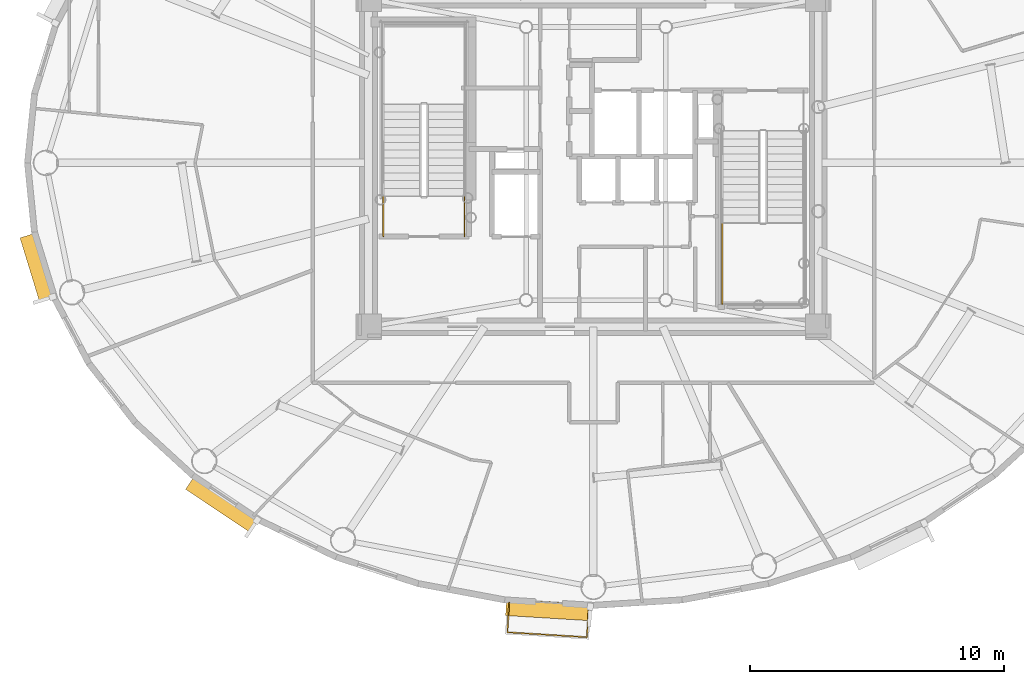
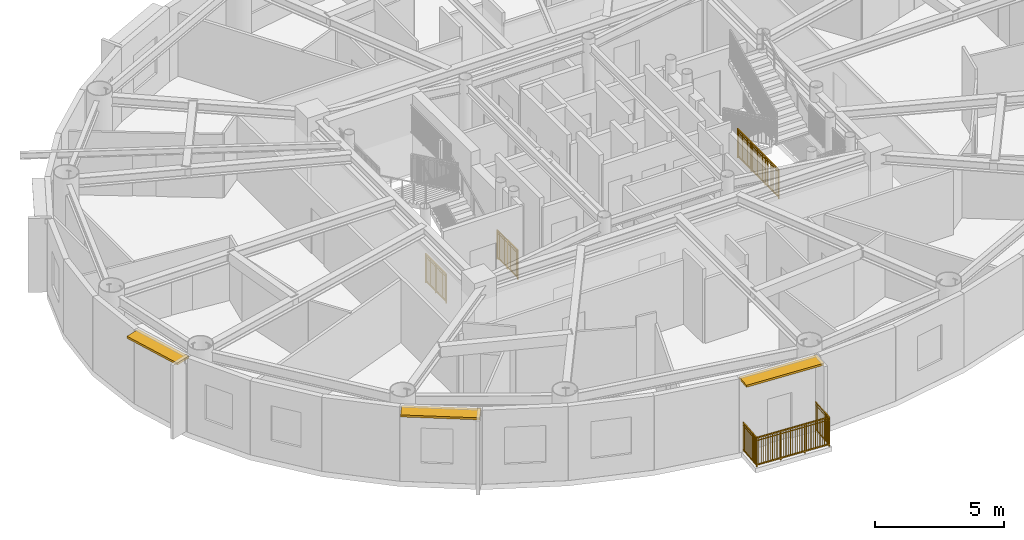
# One storey, part 13 of 20: 4 railings, 3 shading devices.
"""IFC4 building model written with IfcOpenShell, lengths in metres."""

from ifc_helpers import new_model, si_unit, direction, frame, origin, origin_2d, place, context, subcontext, project, spatial, rectangle, extrude, source, transform, mapped, material, layer, layer_set, type_object, element, save


model = new_model("IFC4")

# Units and contexts
model_context = context("Model", 3, precision=1e-05, world=origin(), true_north=direction((0.0, 1.0)))
body_context = subcontext(model_context, "Body", "Model", "MODEL_VIEW")
ifc_project = project(units=[si_unit("LENGTHUNIT", "METRE"), si_unit("AREAUNIT", "SQUARE_METRE"), si_unit("VOLUMEUNIT", "CUBIC_METRE"), si_unit("PLANEANGLEUNIT", "RADIAN"), si_unit("MASSUNIT", "GRAM", prefix="KILO")], contexts=[model_context])

# Site, building, storey
site_placement = place(None, origin())
site = spatial("IfcSite", under=ifc_project, at=site_placement, CompositionType="ELEMENT")
building_placement = place(site_placement, origin())
building = spatial("IfcBuilding", under=site, at=building_placement, Name="Linh Dai School and Residence Tower", CompositionType="ELEMENT")
storey_placement = place(building_placement, frame((0.0, 0.0, 288.0)))
storey = spatial("IfcBuildingStorey", under=building, at=storey_placement, Name="L71", CompositionType="ELEMENT", Elevation=288.0)

# Shading devices
ifc_material_1 = material(Name="Terracotta Ceramic Sunshade", Category="masonry")
ifc_layer = layer(ifc_material_1, 0.10009765625)
ifc_layer_set = layer_set([ifc_layer], Name="Terracotta Ceramic Sunshade")
shading_device_type = type_object("IfcShadingDeviceType", Name="SHD-TC-650", PredefinedType="USERDEFINED", material=ifc_layer_set)
shared_shape_1 = source(origin(), body_context, "Body", "SweptSolid", [
    extrude(rectangle(XDim=2.6640625, YDim=0.64990234375, at=origin_2d()), origin(), (0.0, 0.0, 1.0), 0.10009765625),
])
shading_device_1_placement = place(storey_placement, frame((14.132568359375, 22.870849609375, 3.3798828125), z_axis=(0.0, 0.0, 1.0), x_axis=(-0.293140945944, 0.956069236934, 0.0)))
element("IfcShadingDevice", 1, at=shading_device_1_placement, inside=storey, type_object=shading_device_type, Name="L71 Terracotta Horizontal Sunshade Band 22", ObjectType="SUNSHADE", PredefinedType="USERDEFINED", context=body_context, shape_type="MappedRepresentation", body=[
    mapped(shared_shape_1, transform((0.0, 0.0, 0.0), x_axis=(1.0, 0.0, 0.0), y_axis=(0.0, 1.0, 0.0), z_axis=(0.0, 0.0, 1.0), scale=1.0)),
])
shared_shape_2 = source(origin(), body_context, "Body", "SweptSolid", [
    extrude(rectangle(XDim=3.069091796875, YDim=0.64990234375, at=origin_2d()), origin(), (0.0, 0.0, 1.0), 0.10009765625),
])
shading_device_2_placement = place(storey_placement, frame((21.408203125, 13.5703125, 3.3798828125), z_axis=(0.0, 0.0, 1.0), x_axis=(-0.831245318631, 0.555905765624, 0.0)))
element("IfcShadingDevice", 2, at=shading_device_2_placement, inside=storey, type_object=shading_device_type, Name="L71 Terracotta Horizontal Sunshade Band 26", ObjectType="SUNSHADE", PredefinedType="USERDEFINED", context=body_context, shape_type="MappedRepresentation", body=[
    mapped(shared_shape_2, transform((0.0, 0.0, 0.0), x_axis=(1.0, 0.0, 0.0), y_axis=(0.0, 1.0, 0.0), z_axis=(0.0, 0.0, 1.0), scale=1.0)),
])
shared_shape_3 = source(origin(), body_context, "Body", "SweptSolid", [
    extrude(rectangle(XDim=3.355712890625, YDim=0.64990234375, at=origin_2d()), origin(), (0.0, 0.0, 1.0), 0.10009765625),
])
shading_device_3_placement = place(storey_placement, frame((34.238037109375, 9.407958984375, 3.3798828125), z_axis=(0.0, 0.0, 1.0), x_axis=(-0.998106469364, 0.061509965157, 0.0)))
element("IfcShadingDevice", 3, at=shading_device_3_placement, inside=storey, type_object=shading_device_type, Name="L71 Terracotta Horizontal Sunshade Band 30", ObjectType="SUNSHADE", PredefinedType="USERDEFINED", context=body_context, shape_type="MappedRepresentation", body=[
    mapped(shared_shape_3, transform((0.0, 0.0, 0.0), x_axis=(1.0, 0.0, 0.0), y_axis=(0.0, 1.0, 0.0), z_axis=(0.0, 0.0, 1.0), scale=1.0)),
])

# Railings
ifc_material_2 = material(Name="Structural Steel S355JR", Category="steel")
railing_type_1 = type_object("IfcRailingType", Name="RL-BAL-1400", PredefinedType="BALUSTRADE", material=ifc_material_2)
shared_shape_4 = source(origin(), body_context, "Body", "SweptSolid", [
    extrude(rectangle(XDim=0.048095703125, YDim=0.048095703125, at=origin_2d()), frame((0.0, 0.0, 1.3759765625), z_axis=(-0.061656929038, -0.99809740161, 0.0), x_axis=(0.99809740161, -0.061656929038, 0.0)), (0.0, 0.0, 1.0), 1.179931640625),
    extrude(rectangle(XDim=0.048095703125, YDim=0.048095703125, at=origin_2d()), frame((0.0, 0.0, 0.10009765625), z_axis=(-0.061656929038, -0.99809740161, 0.0), x_axis=(0.99809740161, -0.061656929038, 0.0)), (0.0, 0.0, 1.0), 1.179931640625),
    extrude(rectangle(XDim=0.030029296875, YDim=0.030029296875, at=origin_2d()), frame((0.0, 0.0, 1.239990234375), z_axis=(-0.061656929038, -0.99809740161, 0.0), x_axis=(0.99809740161, -0.061656929038, 0.0)), (0.0, 0.0, 1.0), 1.179931640625),
    extrude(rectangle(XDim=0.02001953125, YDim=0.02001953125, at=origin_2d()), frame((-0.005615234375, -0.090576171875, 0.10009765625)), (0.0, 0.0, 1.0), 1.251708984375),
    extrude(rectangle(XDim=0.02001953125, YDim=0.02001953125, at=origin_2d()), frame((-0.01123046875, -0.18115234375, 0.10009765625)), (0.0, 0.0, 1.0), 1.251708984375),
    extrude(rectangle(XDim=0.02001953125, YDim=0.02001953125, at=origin_2d()), frame((-0.016845703125, -0.271728515625, 0.10009765625)), (0.0, 0.0, 1.0), 1.251708984375),
    extrude(rectangle(XDim=0.02001953125, YDim=0.02001953125, at=origin_2d()), frame((-0.0224609375, -0.3623046875, 0.10009765625)), (0.0, 0.0, 1.0), 1.251708984375),
    extrude(rectangle(XDim=0.02001953125, YDim=0.02001953125, at=origin_2d()), frame((-0.028076171875, -0.452880859375, 0.10009765625)), (0.0, 0.0, 1.0), 1.251708984375),
    extrude(rectangle(XDim=0.02001953125, YDim=0.02001953125, at=origin_2d()), frame((-0.03369140625, -0.54345703125, 0.10009765625)), (0.0, 0.0, 1.0), 1.251708984375),
    extrude(rectangle(XDim=0.02001953125, YDim=0.02001953125, at=origin_2d()), frame((-0.0390625, -0.63427734375, 0.10009765625)), (0.0, 0.0, 1.0), 1.251708984375),
    extrude(rectangle(XDim=0.02001953125, YDim=0.02001953125, at=origin_2d()), frame((-0.044677734375, -0.724853515625, 0.10009765625)), (0.0, 0.0, 1.0), 1.251708984375),
    extrude(rectangle(XDim=0.02001953125, YDim=0.02001953125, at=origin_2d()), frame((-0.05029296875, -0.8154296875, 0.10009765625)), (0.0, 0.0, 1.0), 1.251708984375),
    extrude(rectangle(XDim=0.02001953125, YDim=0.02001953125, at=origin_2d()), frame((-0.055908203125, -0.906005859375, 0.10009765625)), (0.0, 0.0, 1.0), 1.251708984375),
    extrude(rectangle(XDim=0.02001953125, YDim=0.02001953125, at=origin_2d()), frame((-0.0615234375, -0.99658203125, 0.10009765625)), (0.0, 0.0, 1.0), 1.251708984375),
    extrude(rectangle(XDim=0.02001953125, YDim=0.02001953125, at=origin_2d()), frame((-0.067138671875, -1.087158203125, 0.10009765625)), (0.0, 0.0, 1.0), 1.251708984375),
    extrude(rectangle(XDim=0.048095703125, YDim=0.048095703125, at=origin_2d()), frame((-0.07275390625, -1.177734375, 1.3759765625), z_axis=(-0.998106137057, 0.061515357175, 0.0), x_axis=(-0.061515357175, -0.998106137057, 0.0)), (0.0, 0.0, 1.0), 3.13525390625),
    extrude(rectangle(XDim=0.048095703125, YDim=0.048095703125, at=origin_2d()), frame((-0.07275390625, -1.177734375, 0.10009765625), z_axis=(-0.998106137057, 0.061515357175, 0.0), x_axis=(-0.061515357175, -0.998106137057, 0.0)), (0.0, 0.0, 1.0), 3.13525390625),
    extrude(rectangle(XDim=0.030029296875, YDim=0.030029296875, at=origin_2d()), frame((-0.07275390625, -1.177734375, 1.239990234375), z_axis=(-0.998106137057, 0.061515357175, 0.0), x_axis=(-0.061515357175, -0.998106137057, 0.0)), (0.0, 0.0, 1.0), 3.13525390625),
    extrude(rectangle(XDim=0.02001953125, YDim=0.02001953125, at=origin_2d()), frame((-0.170654296875, -1.171630859375, 0.10009765625)), (0.0, 0.0, 1.0), 1.251708984375),
    extrude(rectangle(XDim=0.02001953125, YDim=0.02001953125, at=origin_2d()), frame((-0.268310546875, -1.165771484375, 0.10009765625)), (0.0, 0.0, 1.0), 1.251708984375),
    extrude(rectangle(XDim=0.02001953125, YDim=0.02001953125, at=origin_2d()), frame((-0.3662109375, -1.15966796875, 0.10009765625)), (0.0, 0.0, 1.0), 1.251708984375),
    extrude(rectangle(XDim=0.02001953125, YDim=0.02001953125, at=origin_2d()), frame((-0.4638671875, -1.153564453125, 0.10009765625)), (0.0, 0.0, 1.0), 1.251708984375),
    extrude(rectangle(XDim=0.02001953125, YDim=0.02001953125, at=origin_2d()), frame((-0.561767578125, -1.147705078125, 0.10009765625)), (0.0, 0.0, 1.0), 1.251708984375),
    extrude(rectangle(XDim=0.02001953125, YDim=0.02001953125, at=origin_2d()), frame((-0.659423828125, -1.1416015625, 0.10009765625)), (0.0, 0.0, 1.0), 1.251708984375),
    extrude(rectangle(XDim=0.02001953125, YDim=0.02001953125, at=origin_2d()), frame((-0.75732421875, -1.135498046875, 0.10009765625)), (0.0, 0.0, 1.0), 1.251708984375),
    extrude(rectangle(XDim=0.02001953125, YDim=0.02001953125, at=origin_2d()), frame((-0.85498046875, -1.12939453125, 0.10009765625)), (0.0, 0.0, 1.0), 1.251708984375),
    extrude(rectangle(XDim=0.02001953125, YDim=0.02001953125, at=origin_2d()), frame((-0.952880859375, -1.12353515625, 0.10009765625)), (0.0, 0.0, 1.0), 1.251708984375),
    extrude(rectangle(XDim=0.02001953125, YDim=0.02001953125, at=origin_2d()), frame((-1.05078125, -1.117431640625, 0.10009765625)), (0.0, 0.0, 1.0), 1.251708984375),
    extrude(rectangle(XDim=0.02001953125, YDim=0.02001953125, at=origin_2d()), frame((-1.246337890625, -1.10546875, 0.10009765625)), (0.0, 0.0, 1.0), 1.251708984375),
    extrude(rectangle(XDim=0.02001953125, YDim=0.02001953125, at=origin_2d()), frame((-1.343994140625, -1.099365234375, 0.10009765625)), (0.0, 0.0, 1.0), 1.251708984375),
    extrude(rectangle(XDim=0.02001953125, YDim=0.02001953125, at=origin_2d()), frame((-1.44189453125, -1.09326171875, 0.10009765625)), (0.0, 0.0, 1.0), 1.251708984375),
    extrude(rectangle(XDim=0.02001953125, YDim=0.02001953125, at=origin_2d()), frame((-1.53955078125, -1.08740234375, 0.10009765625)), (0.0, 0.0, 1.0), 1.251708984375),
    extrude(rectangle(XDim=0.02001953125, YDim=0.02001953125, at=origin_2d()), frame((-1.637451171875, -1.081298828125, 0.10009765625)), (0.0, 0.0, 1.0), 1.251708984375),
    extrude(rectangle(XDim=0.02001953125, YDim=0.02001953125, at=origin_2d()), frame((-1.7353515625, -1.0751953125, 0.10009765625)), (0.0, 0.0, 1.0), 1.251708984375),
    extrude(rectangle(XDim=0.02001953125, YDim=0.02001953125, at=origin_2d()), frame((-1.8330078125, -1.0693359375, 0.10009765625)), (0.0, 0.0, 1.0), 1.251708984375),
    extrude(rectangle(XDim=0.02001953125, YDim=0.02001953125, at=origin_2d()), frame((-1.930908203125, -1.063232421875, 0.10009765625)), (0.0, 0.0, 1.0), 1.251708984375),
    extrude(rectangle(XDim=0.02001953125, YDim=0.02001953125, at=origin_2d()), frame((-2.028564453125, -1.05712890625, 0.10009765625)), (0.0, 0.0, 1.0), 1.251708984375),
    extrude(rectangle(XDim=0.02001953125, YDim=0.02001953125, at=origin_2d()), frame((-2.22412109375, -1.045166015625, 0.10009765625)), (0.0, 0.0, 1.0), 1.251708984375),
    extrude(rectangle(XDim=0.02001953125, YDim=0.02001953125, at=origin_2d()), frame((-2.322021484375, -1.0390625, 0.10009765625)), (0.0, 0.0, 1.0), 1.251708984375),
    extrude(rectangle(XDim=0.02001953125, YDim=0.02001953125, at=origin_2d()), frame((-2.419921875, -1.033203125, 0.10009765625)), (0.0, 0.0, 1.0), 1.251708984375),
    extrude(rectangle(XDim=0.02001953125, YDim=0.02001953125, at=origin_2d()), frame((-2.517578125, -1.027099609375, 0.10009765625)), (0.0, 0.0, 1.0), 1.251708984375),
    extrude(rectangle(XDim=0.02001953125, YDim=0.02001953125, at=origin_2d()), frame((-2.615478515625, -1.02099609375, 0.10009765625)), (0.0, 0.0, 1.0), 1.251708984375),
    extrude(rectangle(XDim=0.02001953125, YDim=0.02001953125, at=origin_2d()), frame((-2.713134765625, -1.014892578125, 0.10009765625)), (0.0, 0.0, 1.0), 1.251708984375),
    extrude(rectangle(XDim=0.02001953125, YDim=0.02001953125, at=origin_2d()), frame((-2.81103515625, -1.009033203125, 0.10009765625)), (0.0, 0.0, 1.0), 1.251708984375),
    extrude(rectangle(XDim=0.02001953125, YDim=0.02001953125, at=origin_2d()), frame((-2.90869140625, -1.0029296875, 0.10009765625)), (0.0, 0.0, 1.0), 1.251708984375),
    extrude(rectangle(XDim=0.02001953125, YDim=0.02001953125, at=origin_2d()), frame((-3.006591796875, -0.996826171875, 0.10009765625)), (0.0, 0.0, 1.0), 1.251708984375),
    extrude(rectangle(XDim=0.02001953125, YDim=0.02001953125, at=origin_2d()), frame((-3.104248046875, -0.990966796875, 0.10009765625)), (0.0, 0.0, 1.0), 1.251708984375),
    extrude(rectangle(XDim=0.048095703125, YDim=0.048095703125, at=origin_2d()), frame((-3.2021484375, -0.98486328125, 1.3759765625), z_axis=(0.061656929038, 0.99809740161, 0.0), x_axis=(-0.99809740161, 0.061656929038, 0.0)), (0.0, 0.0, 1.0), 1.179931640625),
    extrude(rectangle(XDim=0.048095703125, YDim=0.048095703125, at=origin_2d()), frame((-3.2021484375, -0.98486328125, 0.10009765625), z_axis=(0.061656929038, 0.99809740161, 0.0), x_axis=(-0.99809740161, 0.061656929038, 0.0)), (0.0, 0.0, 1.0), 1.179931640625),
    extrude(rectangle(XDim=0.030029296875, YDim=0.030029296875, at=origin_2d()), frame((-3.2021484375, -0.98486328125, 1.239990234375), z_axis=(0.061656929038, 0.99809740161, 0.0), x_axis=(-0.99809740161, 0.061656929038, 0.0)), (0.0, 0.0, 1.0), 1.179931640625),
    extrude(rectangle(XDim=0.02001953125, YDim=0.02001953125, at=origin_2d()), frame((-3.196533203125, -0.894287109375, 0.10009765625)), (0.0, 0.0, 1.0), 1.251708984375),
    extrude(rectangle(XDim=0.02001953125, YDim=0.02001953125, at=origin_2d()), frame((-3.19091796875, -0.8037109375, 0.10009765625)), (0.0, 0.0, 1.0), 1.251708984375),
    extrude(rectangle(XDim=0.02001953125, YDim=0.02001953125, at=origin_2d()), frame((-3.185302734375, -0.713134765625, 0.10009765625)), (0.0, 0.0, 1.0), 1.251708984375),
    extrude(rectangle(XDim=0.02001953125, YDim=0.02001953125, at=origin_2d()), frame((-3.1796875, -0.62255859375, 0.10009765625)), (0.0, 0.0, 1.0), 1.251708984375),
    extrude(rectangle(XDim=0.02001953125, YDim=0.02001953125, at=origin_2d()), frame((-3.174072265625, -0.531982421875, 0.10009765625)), (0.0, 0.0, 1.0), 1.251708984375),
    extrude(rectangle(XDim=0.02001953125, YDim=0.02001953125, at=origin_2d()), frame((-3.16845703125, -0.44140625, 0.10009765625)), (0.0, 0.0, 1.0), 1.251708984375),
    extrude(rectangle(XDim=0.02001953125, YDim=0.02001953125, at=origin_2d()), frame((-3.1630859375, -0.3505859375, 0.10009765625)), (0.0, 0.0, 1.0), 1.251708984375),
    extrude(rectangle(XDim=0.02001953125, YDim=0.02001953125, at=origin_2d()), frame((-3.157470703125, -0.260009765625, 0.10009765625)), (0.0, 0.0, 1.0), 1.251708984375),
    extrude(rectangle(XDim=0.02001953125, YDim=0.02001953125, at=origin_2d()), frame((-3.15185546875, -0.16943359375, 0.10009765625)), (0.0, 0.0, 1.0), 1.251708984375),
    extrude(rectangle(XDim=0.02001953125, YDim=0.02001953125, at=origin_2d()), frame((-3.146240234375, -0.078857421875, 0.10009765625)), (0.0, 0.0, 1.0), 1.251708984375),
    extrude(rectangle(XDim=0.02001953125, YDim=0.02001953125, at=origin_2d()), frame((-3.140625, 0.01171875, 0.10009765625)), (0.0, 0.0, 1.0), 1.251708984375),
    extrude(rectangle(XDim=0.02001953125, YDim=0.02001953125, at=origin_2d()), frame((-3.135009765625, 0.102294921875, 0.10009765625)), (0.0, 0.0, 1.0), 1.251708984375),
    extrude(rectangle(XDim=0.0419921875, YDim=0.0419921875, at=origin_2d()), origin(), (0.0, 0.0, 1.0), 1.3759765625),
    extrude(rectangle(XDim=0.0419921875, YDim=0.0419921875, at=origin_2d()), frame((-0.07275390625, -1.177734375, 0.0)), (0.0, 0.0, 1.0), 1.3759765625),
    extrude(rectangle(XDim=0.0419921875, YDim=0.0419921875, at=origin_2d()), frame((-1.115966796875, -1.113525390625, 0.0)), (0.0, 0.0, 1.0), 1.3759765625),
    extrude(rectangle(XDim=0.0419921875, YDim=0.0419921875, at=origin_2d()), frame((-2.158935546875, -1.049072265625, 0.0)), (0.0, 0.0, 1.0), 1.3759765625),
    extrude(rectangle(XDim=0.0419921875, YDim=0.0419921875, at=origin_2d()), frame((-3.2021484375, -0.98486328125, 0.0)), (0.0, 0.0, 1.0), 1.3759765625),
    extrude(rectangle(XDim=0.0419921875, YDim=0.0419921875, at=origin_2d()), frame((-3.12939453125, 0.19287109375, 0.0)), (0.0, 0.0, 1.0), 1.3759765625),
])
railing_1_placement = place(storey_placement, frame((35.815185546875, 9.51123046875, 0.0)))
element("IfcRailing", 4, at=railing_1_placement, inside=storey, type_object=railing_type_1, Name="L71 Balcony Safety Balustrade 30", PredefinedType="BALUSTRADE", context=body_context, shape_type="MappedRepresentation", body=[
    mapped(shared_shape_4, transform((0.0, 0.0, 0.0), x_axis=(1.0, 0.0, 0.0), y_axis=(0.0, 1.0, 0.0), z_axis=(0.0, 0.0, 1.0), scale=1.0)),
])
railing_type_2 = type_object("IfcRailingType", Name="RL-ST-GUARD-1400", PredefinedType="GUARDRAIL", material=ifc_material_2)
shared_shape_5 = source(origin(), body_context, "Body", "SweptSolid", [
    extrude(rectangle(XDim=0.048095703125, YDim=0.048095703125, at=origin_2d()), frame((0.0, 0.0, 1.3759765625), z_axis=(0.0, 1.0, 0.0), x_axis=(-1.0, 0.0, 0.0)), (0.0, 0.0, 1.0), 1.599853515625),
    extrude(rectangle(XDim=0.048095703125, YDim=0.048095703125, at=origin_2d()), frame((0.0, 0.0, 0.10009765625), z_axis=(0.0, 1.0, 0.0), x_axis=(-1.0, 0.0, 0.0)), (0.0, 0.0, 1.0), 1.599853515625),
    extrude(rectangle(XDim=0.030029296875, YDim=0.030029296875, at=origin_2d()), frame((0.0, 0.0, 1.239990234375), z_axis=(0.0, 1.0, 0.0), x_axis=(-1.0, 0.0, 0.0)), (0.0, 0.0, 1.0), 1.599853515625),
    extrude(rectangle(XDim=0.02001953125, YDim=0.02001953125, at=origin_2d()), frame((0.0, 0.093994140625, 0.10009765625)), (0.0, 0.0, 1.0), 1.251708984375),
    extrude(rectangle(XDim=0.02001953125, YDim=0.02001953125, at=origin_2d()), frame((0.0, 0.188232421875, 0.10009765625)), (0.0, 0.0, 1.0), 1.251708984375),
    extrude(rectangle(XDim=0.02001953125, YDim=0.02001953125, at=origin_2d()), frame((0.0, 0.2822265625, 0.10009765625)), (0.0, 0.0, 1.0), 1.251708984375),
    extrude(rectangle(XDim=0.02001953125, YDim=0.02001953125, at=origin_2d()), frame((0.0, 0.37646484375, 0.10009765625)), (0.0, 0.0, 1.0), 1.251708984375),
    extrude(rectangle(XDim=0.02001953125, YDim=0.02001953125, at=origin_2d()), frame((0.0, 0.470458984375, 0.10009765625)), (0.0, 0.0, 1.0), 1.251708984375),
    extrude(rectangle(XDim=0.02001953125, YDim=0.02001953125, at=origin_2d()), frame((0.0, 0.564697265625, 0.10009765625)), (0.0, 0.0, 1.0), 1.251708984375),
    extrude(rectangle(XDim=0.02001953125, YDim=0.02001953125, at=origin_2d()), frame((0.0, 0.65869140625, 0.10009765625)), (0.0, 0.0, 1.0), 1.251708984375),
    extrude(rectangle(XDim=0.02001953125, YDim=0.02001953125, at=origin_2d()), frame((0.0, 0.7529296875, 0.10009765625)), (0.0, 0.0, 1.0), 1.251708984375),
    extrude(rectangle(XDim=0.02001953125, YDim=0.02001953125, at=origin_2d()), frame((0.0, 0.846923828125, 0.10009765625)), (0.0, 0.0, 1.0), 1.251708984375),
    extrude(rectangle(XDim=0.02001953125, YDim=0.02001953125, at=origin_2d()), frame((0.0, 0.941162109375, 0.10009765625)), (0.0, 0.0, 1.0), 1.251708984375),
    extrude(rectangle(XDim=0.02001953125, YDim=0.02001953125, at=origin_2d()), frame((0.0, 1.03515625, 0.10009765625)), (0.0, 0.0, 1.0), 1.251708984375),
    extrude(rectangle(XDim=0.02001953125, YDim=0.02001953125, at=origin_2d()), frame((0.0, 1.12939453125, 0.10009765625)), (0.0, 0.0, 1.0), 1.251708984375),
    extrude(rectangle(XDim=0.02001953125, YDim=0.02001953125, at=origin_2d()), frame((0.0, 1.223388671875, 0.10009765625)), (0.0, 0.0, 1.0), 1.251708984375),
    extrude(rectangle(XDim=0.02001953125, YDim=0.02001953125, at=origin_2d()), frame((0.0, 1.317626953125, 0.10009765625)), (0.0, 0.0, 1.0), 1.251708984375),
    extrude(rectangle(XDim=0.02001953125, YDim=0.02001953125, at=origin_2d()), frame((0.0, 1.41162109375, 0.10009765625)), (0.0, 0.0, 1.0), 1.251708984375),
    extrude(rectangle(XDim=0.02001953125, YDim=0.02001953125, at=origin_2d()), frame((0.0, 1.505859375, 0.10009765625)), (0.0, 0.0, 1.0), 1.251708984375),
    extrude(rectangle(XDim=0.0419921875, YDim=0.0419921875, at=origin_2d()), origin(), (0.0, 0.0, 1.0), 1.3759765625),
    extrude(rectangle(XDim=0.0419921875, YDim=0.0419921875, at=origin_2d()), frame((0.0, 0.7998046875, 0.0)), (0.0, 0.0, 1.0), 1.3759765625),
    extrude(rectangle(XDim=0.0419921875, YDim=0.0419921875, at=origin_2d()), frame((0.0, 1.599853515625, 0.0)), (0.0, 0.0, 1.0), 1.3759765625),
])
for number, where, name in (
    (5, (30.929931640625, 24.10009765625, 0.0), "L71 ST1 stair guard 8"),
    (6, (27.72998046875, 24.10009765625, 0.0), "L71 ST1 stair guard 9"),
):
    element("IfcRailing", number, at=place(storey_placement, frame(where)), inside=storey, type_object=railing_type_2, Name=name, PredefinedType="GUARDRAIL", context=body_context, shape_type="MappedRepresentation", body=[
        mapped(shared_shape_5, transform((0.0, 0.0, 0.0), x_axis=(1.0, 0.0, 0.0), y_axis=(0.0, 1.0, 0.0), z_axis=(0.0, 0.0, 1.0), scale=1.0)),
    ])
shared_shape_6 = source(origin(), body_context, "Body", "SweptSolid", [
    extrude(rectangle(XDim=0.048095703125, YDim=0.048095703125, at=origin_2d()), frame((0.0, 0.0, 1.3759765625), z_axis=(0.0, -1.0, 0.0), x_axis=(1.0, 0.0, 0.0)), (0.0, 0.0, 1.0), 3.199951171875),
    extrude(rectangle(XDim=0.048095703125, YDim=0.048095703125, at=origin_2d()), frame((0.0, 0.0, 0.10009765625), z_axis=(0.0, -1.0, 0.0), x_axis=(1.0, 0.0, 0.0)), (0.0, 0.0, 1.0), 3.199951171875),
    extrude(rectangle(XDim=0.030029296875, YDim=0.030029296875, at=origin_2d()), frame((0.0, 0.0, 1.239990234375), z_axis=(0.0, -1.0, 0.0), x_axis=(1.0, 0.0, 0.0)), (0.0, 0.0, 1.0), 3.199951171875),
    extrude(rectangle(XDim=0.02001953125, YDim=0.02001953125, at=origin_2d()), frame((0.0, -0.096923828125, 0.10009765625)), (0.0, 0.0, 1.0), 1.251708984375),
    extrude(rectangle(XDim=0.02001953125, YDim=0.02001953125, at=origin_2d()), frame((0.0, -0.19384765625, 0.10009765625)), (0.0, 0.0, 1.0), 1.251708984375),
    extrude(rectangle(XDim=0.02001953125, YDim=0.02001953125, at=origin_2d()), frame((0.0, -0.291015625, 0.10009765625)), (0.0, 0.0, 1.0), 1.251708984375),
    extrude(rectangle(XDim=0.02001953125, YDim=0.02001953125, at=origin_2d()), frame((0.0, -0.387939453125, 0.10009765625)), (0.0, 0.0, 1.0), 1.251708984375),
    extrude(rectangle(XDim=0.02001953125, YDim=0.02001953125, at=origin_2d()), frame((0.0, -0.48486328125, 0.10009765625)), (0.0, 0.0, 1.0), 1.251708984375),
    extrude(rectangle(XDim=0.02001953125, YDim=0.02001953125, at=origin_2d()), frame((0.0, -0.581787109375, 0.10009765625)), (0.0, 0.0, 1.0), 1.251708984375),
    extrude(rectangle(XDim=0.02001953125, YDim=0.02001953125, at=origin_2d()), frame((0.0, -0.6787109375, 0.10009765625)), (0.0, 0.0, 1.0), 1.251708984375),
    extrude(rectangle(XDim=0.02001953125, YDim=0.02001953125, at=origin_2d()), frame((0.0, -0.775634765625, 0.10009765625)), (0.0, 0.0, 1.0), 1.251708984375),
    extrude(rectangle(XDim=0.02001953125, YDim=0.02001953125, at=origin_2d()), frame((0.0, -0.872802734375, 0.10009765625)), (0.0, 0.0, 1.0), 1.251708984375),
    extrude(rectangle(XDim=0.02001953125, YDim=0.02001953125, at=origin_2d()), frame((0.0, -0.9697265625, 0.10009765625)), (0.0, 0.0, 1.0), 1.251708984375),
    extrude(rectangle(XDim=0.02001953125, YDim=0.02001953125, at=origin_2d()), frame((0.0, -1.16357421875, 0.10009765625)), (0.0, 0.0, 1.0), 1.251708984375),
    extrude(rectangle(XDim=0.02001953125, YDim=0.02001953125, at=origin_2d()), frame((0.0, -1.260498046875, 0.10009765625)), (0.0, 0.0, 1.0), 1.251708984375),
    extrude(rectangle(XDim=0.02001953125, YDim=0.02001953125, at=origin_2d()), frame((0.0, -1.357666015625, 0.10009765625)), (0.0, 0.0, 1.0), 1.251708984375),
    extrude(rectangle(XDim=0.02001953125, YDim=0.02001953125, at=origin_2d()), frame((0.0, -1.45458984375, 0.10009765625)), (0.0, 0.0, 1.0), 1.251708984375),
    extrude(rectangle(XDim=0.02001953125, YDim=0.02001953125, at=origin_2d()), frame((0.0, -1.551513671875, 0.10009765625)), (0.0, 0.0, 1.0), 1.251708984375),
    extrude(rectangle(XDim=0.02001953125, YDim=0.02001953125, at=origin_2d()), frame((0.0, -1.6484375, 0.10009765625)), (0.0, 0.0, 1.0), 1.251708984375),
    extrude(rectangle(XDim=0.02001953125, YDim=0.02001953125, at=origin_2d()), frame((0.0, -1.745361328125, 0.10009765625)), (0.0, 0.0, 1.0), 1.251708984375),
    extrude(rectangle(XDim=0.02001953125, YDim=0.02001953125, at=origin_2d()), frame((0.0, -1.84228515625, 0.10009765625)), (0.0, 0.0, 1.0), 1.251708984375),
    extrude(rectangle(XDim=0.02001953125, YDim=0.02001953125, at=origin_2d()), frame((0.0, -1.939453125, 0.10009765625)), (0.0, 0.0, 1.0), 1.251708984375),
    extrude(rectangle(XDim=0.02001953125, YDim=0.02001953125, at=origin_2d()), frame((0.0, -2.036376953125, 0.10009765625)), (0.0, 0.0, 1.0), 1.251708984375),
    extrude(rectangle(XDim=0.02001953125, YDim=0.02001953125, at=origin_2d()), frame((0.0, -2.230224609375, 0.10009765625)), (0.0, 0.0, 1.0), 1.251708984375),
    extrude(rectangle(XDim=0.02001953125, YDim=0.02001953125, at=origin_2d()), frame((0.0, -2.3271484375, 0.10009765625)), (0.0, 0.0, 1.0), 1.251708984375),
    extrude(rectangle(XDim=0.02001953125, YDim=0.02001953125, at=origin_2d()), frame((0.0, -2.42431640625, 0.10009765625)), (0.0, 0.0, 1.0), 1.251708984375),
    extrude(rectangle(XDim=0.02001953125, YDim=0.02001953125, at=origin_2d()), frame((0.0, -2.521240234375, 0.10009765625)), (0.0, 0.0, 1.0), 1.251708984375),
    extrude(rectangle(XDim=0.02001953125, YDim=0.02001953125, at=origin_2d()), frame((0.0, -2.6181640625, 0.10009765625)), (0.0, 0.0, 1.0), 1.251708984375),
    extrude(rectangle(XDim=0.02001953125, YDim=0.02001953125, at=origin_2d()), frame((0.0, -2.715087890625, 0.10009765625)), (0.0, 0.0, 1.0), 1.251708984375),
    extrude(rectangle(XDim=0.02001953125, YDim=0.02001953125, at=origin_2d()), frame((0.0, -2.81201171875, 0.10009765625)), (0.0, 0.0, 1.0), 1.251708984375),
    extrude(rectangle(XDim=0.02001953125, YDim=0.02001953125, at=origin_2d()), frame((0.0, -2.908935546875, 0.10009765625)), (0.0, 0.0, 1.0), 1.251708984375),
    extrude(rectangle(XDim=0.02001953125, YDim=0.02001953125, at=origin_2d()), frame((0.0, -3.006103515625, 0.10009765625)), (0.0, 0.0, 1.0), 1.251708984375),
    extrude(rectangle(XDim=0.02001953125, YDim=0.02001953125, at=origin_2d()), frame((0.0, -3.10302734375, 0.10009765625)), (0.0, 0.0, 1.0), 1.251708984375),
    extrude(rectangle(XDim=0.0419921875, YDim=0.0419921875, at=origin_2d()), origin(), (0.0, 0.0, 1.0), 1.3759765625),
    extrude(rectangle(XDim=0.0419921875, YDim=0.0419921875, at=origin_2d()), frame((0.0, -1.066650390625, 0.0)), (0.0, 0.0, 1.0), 1.3759765625),
    extrude(rectangle(XDim=0.0419921875, YDim=0.0419921875, at=origin_2d()), frame((0.0, -2.13330078125, 0.0)), (0.0, 0.0, 1.0), 1.3759765625),
    extrude(rectangle(XDim=0.0419921875, YDim=0.0419921875, at=origin_2d()), frame((0.0, -3.199951171875, 0.0)), (0.0, 0.0, 1.0), 1.3759765625),
])
railing_2_placement = place(storey_placement, frame((41.070068359375, 24.64990234375, 1.875)))
element("IfcRailing", 7, at=railing_2_placement, inside=storey, type_object=railing_type_2, Name="L71 ST2 stair guard 3", PredefinedType="GUARDRAIL", context=body_context, shape_type="MappedRepresentation", body=[
    mapped(shared_shape_6, transform((0.0, 0.0, 0.0), x_axis=(1.0, 0.0, 0.0), y_axis=(0.0, 1.0, 0.0), z_axis=(0.0, 0.0, 1.0), scale=1.0)),
])

save(model, "model.ifc")
